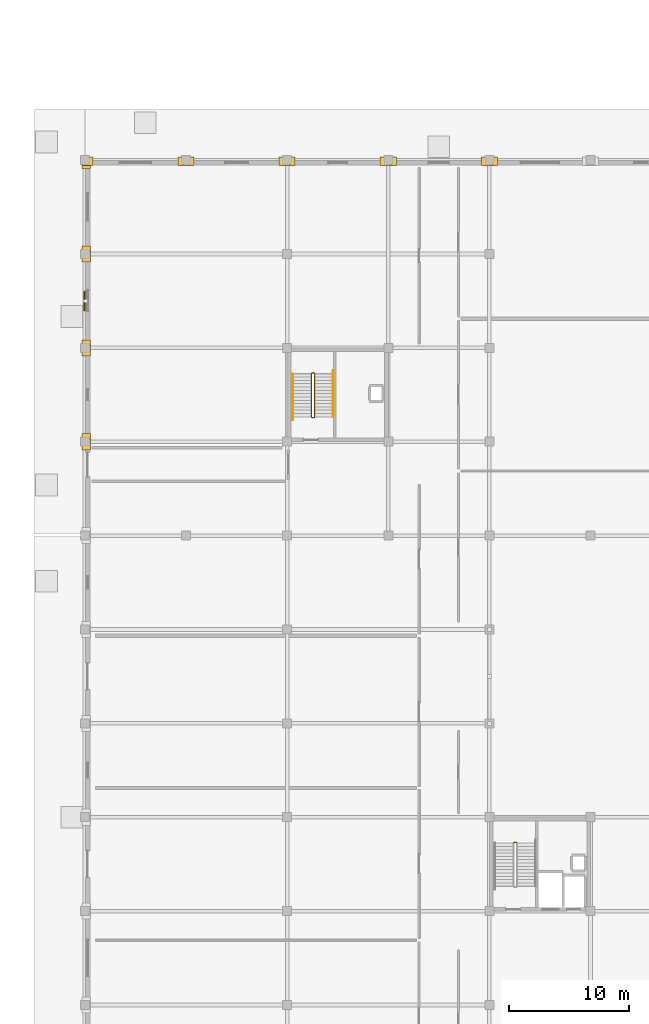
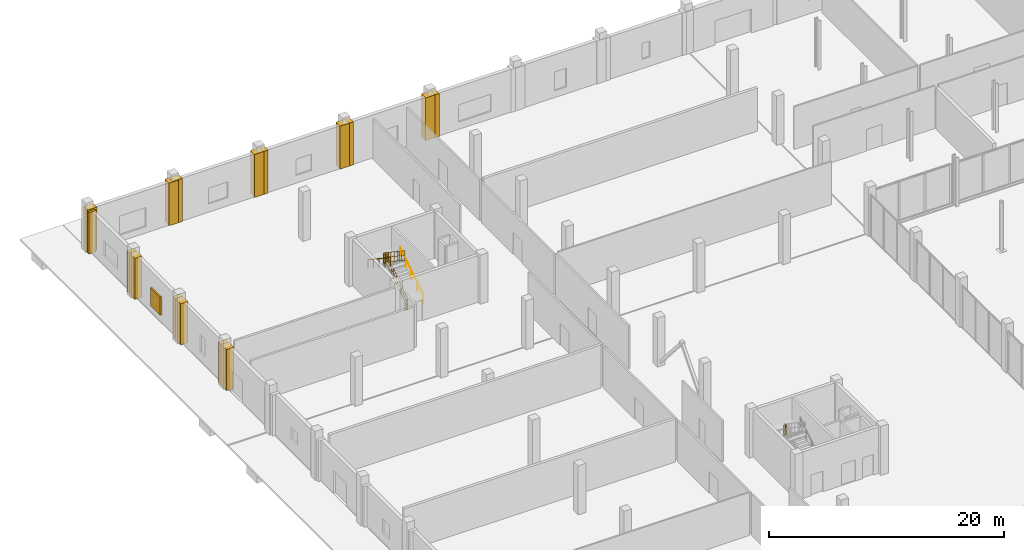
# One storey, part 72 of 80: 16 coverings, 7 railings, 1 shading device.
"""IFC4 building model written with IfcOpenShell, lengths in metres."""

from ifc_helpers import new_model, si_unit, direction, frame, origin, origin_2d, place, context, subcontext, project, spatial, polyline, rectangle, circle, outline, extrude, material, layer, layer_set, type_object, element, save


model = new_model("IFC4")

# Units and contexts
model_context = context("Model", 3, precision=1e-05, world=origin(), true_north=direction((0.0, 1.0)))
body_context = subcontext(model_context, "Body", "Model", "MODEL_VIEW")
ifc_project = project(units=[si_unit("LENGTHUNIT", "METRE"), si_unit("AREAUNIT", "SQUARE_METRE"), si_unit("VOLUMEUNIT", "CUBIC_METRE"), si_unit("PLANEANGLEUNIT", "RADIAN"), si_unit("MASSUNIT", "GRAM", prefix="KILO")], contexts=[model_context])

# Site, building, storey
site_placement = place(None, origin())
site = spatial("IfcSite", under=ifc_project, at=site_placement, CompositionType="ELEMENT")
building_placement = place(site_placement, origin())
building = spatial("IfcBuilding", under=site, at=building_placement, Name="Nabrawat Pavilion Hospital", CompositionType="ELEMENT")
storey_placement = place(building_placement, origin())
storey = spatial("IfcBuildingStorey", under=building, at=storey_placement, Name="L00", CompositionType="ELEMENT", Elevation=0.0)

# Coverings
ifc_material_1 = material(Name="Precast concrete C40/50", Category="concrete")
ifc_layer_1 = layer(ifc_material_1, 0.360107421875, Name="Precast concrete C40/50")
ifc_layer_set_1 = layer_set([ifc_layer_1], Name="Precast concrete C40/50")
covering_type = type_object("IfcCoveringType", Name="Architectural Precast Column-Jamb Closure Reveal", PredefinedType="CLADDING", material=ifc_layer_set_1)
covering_1_placement = place(storey_placement, origin())
element("IfcCovering", 1, at=covering_1_placement, inside=storey, type_object=covering_type, Name="L00 Precast Facade Column-Jamb Weatherseal Closure 0038", PredefinedType="CLADDING", context=body_context, shape_type="SweptSolid", body=[
    extrude(outline(polyline([(0.463623046875, 92.93115234375), (0.463623046875, 93.84375), (-0.243896484375, 93.84375), (-0.243896484375, 92.93115234375), (0.463623046875, 92.93115234375)])), origin(), (0.0, 0.0, 1.0), 4.260009765625),
])
covering_2_placement = place(storey_placement, origin())
element("IfcCovering", 2, at=covering_2_placement, inside=storey, type_object=covering_type, Name="L00 Precast Facade Column-Jamb Weatherseal Closure 0039", PredefinedType="CLADDING", context=body_context, shape_type="SweptSolid", body=[
    extrude(outline(polyline([(0.463623046875, 93.356201171875), (0.463623046875, 94.268798828125), (-0.243896484375, 94.268798828125), (-0.243896484375, 93.356201171875), (0.463623046875, 93.356201171875)])), origin(), (0.0, 0.0, 1.0), 4.260009765625),
])
covering_3_placement = place(storey_placement, origin())
element("IfcCovering", 3, at=covering_3_placement, inside=storey, type_object=covering_type, Name="L00 Precast Facade Column-Jamb Weatherseal Closure 0040", PredefinedType="CLADDING", context=body_context, shape_type="SweptSolid", body=[
    extrude(outline(polyline([(0.463623046875, 100.731201171875), (0.463623046875, 101.643798828125), (-0.243896484375, 101.643798828125), (-0.243896484375, 100.731201171875), (0.463623046875, 100.731201171875)])), origin(), (0.0, 0.0, 1.0), 4.260009765625),
])
covering_4_placement = place(storey_placement, origin())
element("IfcCovering", 4, at=covering_4_placement, inside=storey, type_object=covering_type, Name="L00 Precast Facade Column-Jamb Weatherseal Closure 0041", PredefinedType="CLADDING", context=body_context, shape_type="SweptSolid", body=[
    extrude(outline(polyline([(0.463623046875, 101.15625), (0.463623046875, 102.06884765625), (-0.243896484375, 102.06884765625), (-0.243896484375, 101.15625), (0.463623046875, 101.15625)])), origin(), (0.0, 0.0, 1.0), 4.260009765625),
])
covering_5_placement = place(storey_placement, origin())
element("IfcCovering", 5, at=covering_5_placement, inside=storey, type_object=covering_type, Name="L00 Precast Facade Column-Jamb Weatherseal Closure 0042", PredefinedType="CLADDING", context=body_context, shape_type="SweptSolid", body=[
    extrude(outline(polyline([(0.463623046875, 108.53125), (0.463623046875, 109.44384765625), (-0.243896484375, 109.44384765625), (-0.243896484375, 108.53125), (0.463623046875, 108.53125)])), origin(), (0.0, 0.0, 1.0), 4.260009765625),
])
covering_6_placement = place(storey_placement, origin())
element("IfcCovering", 6, at=covering_6_placement, inside=storey, type_object=covering_type, Name="L00 Precast Facade Column-Jamb Weatherseal Closure 0043", PredefinedType="CLADDING", context=body_context, shape_type="SweptSolid", body=[
    extrude(outline(polyline([(0.463623046875, 108.956298828125), (0.463623046875, 109.868896484375), (-0.243896484375, 109.868896484375), (-0.243896484375, 108.956298828125), (0.463623046875, 108.956298828125)])), origin(), (0.0, 0.0, 1.0), 4.260009765625),
])
covering_7_placement = place(storey_placement, origin())
element("IfcCovering", 7, at=covering_7_placement, inside=storey, type_object=covering_type, Name="L00 Precast Facade Column-Jamb Weatherseal Closure 0044", PredefinedType="CLADDING", context=body_context, shape_type="SweptSolid", body=[
    extrude(outline(polyline([(0.463623046875, 116.316162109375), (0.463623046875, 117.243896484375), (-0.243896484375, 117.243896484375), (-0.243896484375, 116.316162109375), (0.463623046875, 116.316162109375)])), origin(), (0.0, 0.0, 1.0), 4.260009765625),
])
covering_8_placement = place(storey_placement, origin())
element("IfcCovering", 8, at=covering_8_placement, inside=storey, type_object=covering_type, Name="L00 Precast Facade Column-Jamb Weatherseal Closure 0045", PredefinedType="CLADDING", context=body_context, shape_type="SweptSolid", body=[
    extrude(outline(polyline([(0.668701171875, 116.5361328125), (0.668701171875, 117.243896484375), (-0.243896484375, 117.243896484375), (-0.243896484375, 116.5361328125), (0.668701171875, 116.5361328125)])), origin(), (0.0, 0.0, 1.0), 4.419921875),
])
covering_9_placement = place(storey_placement, origin())
element("IfcCovering", 9, at=covering_9_placement, inside=storey, type_object=covering_type, Name="L00 Precast Facade Column-Jamb Weatherseal Closure 0046", PredefinedType="CLADDING", context=body_context, shape_type="SweptSolid", body=[
    extrude(outline(polyline([(8.643798828125, 116.5361328125), (8.643798828125, 117.243896484375), (7.731201171875, 117.243896484375), (7.731201171875, 116.5361328125), (8.643798828125, 116.5361328125)])), origin(), (0.0, 0.0, 1.0), 4.419921875),
])
covering_10_placement = place(storey_placement, origin())
element("IfcCovering", 10, at=covering_10_placement, inside=storey, type_object=covering_type, Name="L00 Precast Facade Column-Jamb Weatherseal Closure 0047", PredefinedType="CLADDING", context=body_context, shape_type="SweptSolid", body=[
    extrude(outline(polyline([(9.068603515625, 116.5361328125), (9.068603515625, 117.243896484375), (8.15625, 117.243896484375), (8.15625, 116.5361328125), (9.068603515625, 116.5361328125)])), origin(), (0.0, 0.0, 1.0), 4.449951171875),
])
covering_11_placement = place(storey_placement, origin())
element("IfcCovering", 11, at=covering_11_placement, inside=storey, type_object=covering_type, Name="L00 Precast Facade Column-Jamb Weatherseal Closure 0048", PredefinedType="CLADDING", context=body_context, shape_type="SweptSolid", body=[
    extrude(outline(polyline([(17.043701171875, 116.5361328125), (17.043701171875, 117.243896484375), (16.13134765625, 117.243896484375), (16.13134765625, 116.5361328125), (17.043701171875, 116.5361328125)])), origin(), (0.0, 0.0, 1.0), 4.449951171875),
])
covering_12_placement = place(storey_placement, origin())
element("IfcCovering", 12, at=covering_12_placement, inside=storey, type_object=covering_type, Name="L00 Precast Facade Column-Jamb Weatherseal Closure 0049", PredefinedType="CLADDING", context=body_context, shape_type="SweptSolid", body=[
    extrude(outline(polyline([(17.46875, 116.5361328125), (17.46875, 117.243896484375), (16.556396484375, 117.243896484375), (16.556396484375, 116.5361328125), (17.46875, 116.5361328125)])), origin(), (0.0, 0.0, 1.0), 4.449951171875),
])
covering_13_placement = place(storey_placement, origin())
element("IfcCovering", 13, at=covering_13_placement, inside=storey, type_object=covering_type, Name="L00 Precast Facade Column-Jamb Weatherseal Closure 0050", PredefinedType="CLADDING", context=body_context, shape_type="SweptSolid", body=[
    extrude(outline(polyline([(25.443603515625, 116.5361328125), (25.443603515625, 117.243896484375), (24.53125, 117.243896484375), (24.53125, 116.5361328125), (25.443603515625, 116.5361328125)])), origin(), (0.0, 0.0, 1.0), 4.449951171875),
])
covering_14_placement = place(storey_placement, origin())
element("IfcCovering", 14, at=covering_14_placement, inside=storey, type_object=covering_type, Name="L00 Precast Facade Column-Jamb Weatherseal Closure 0051", PredefinedType="CLADDING", context=body_context, shape_type="SweptSolid", body=[
    extrude(outline(polyline([(25.86865234375, 116.5361328125), (25.86865234375, 117.243896484375), (24.956298828125, 117.243896484375), (24.956298828125, 116.5361328125), (25.86865234375, 116.5361328125)])), origin(), (0.0, 0.0, 1.0), 4.449951171875),
])
covering_15_placement = place(storey_placement, origin())
element("IfcCovering", 15, at=covering_15_placement, inside=storey, type_object=covering_type, Name="L00 Precast Facade Column-Jamb Weatherseal Closure 0052", PredefinedType="CLADDING", context=body_context, shape_type="SweptSolid", body=[
    extrude(outline(polyline([(33.84375, 116.5361328125), (33.84375, 117.243896484375), (32.93115234375, 117.243896484375), (32.93115234375, 116.5361328125), (33.84375, 116.5361328125)])), origin(), (0.0, 0.0, 1.0), 4.449951171875),
])
covering_16_placement = place(storey_placement, origin())
element("IfcCovering", 16, at=covering_16_placement, inside=storey, type_object=covering_type, Name="L00 Precast Facade Column-Jamb Weatherseal Closure 0053", PredefinedType="CLADDING", context=body_context, shape_type="SweptSolid", body=[
    extrude(outline(polyline([(34.268798828125, 116.5361328125), (34.268798828125, 117.243896484375), (33.356201171875, 117.243896484375), (33.356201171875, 116.5361328125), (34.268798828125, 116.5361328125)])), origin(), (0.0, 0.0, 1.0), 4.449951171875),
])

# Shading device
ifc_layer_2 = layer(ifc_material_1, 2.39990234375, Name="Precast concrete C40/50")
ifc_layer_set_2 = layer_set([ifc_layer_2], Name="Precast concrete C40/50")
shading_device_type = type_object("IfcShadingDeviceType", Name="Perforated GFRC Mashrabiya Solar Fin", PredefinedType="JALOUSIE", material=ifc_layer_set_2)
shading_device_placement = place(storey_placement, frame((-0.030029296875, 105.300048828125, 0.75), z_axis=(0.0, 0.0, 1.0), x_axis=(0.0, 1.0, 0.0)))
element("IfcShadingDevice", 17, at=shading_device_placement, inside=storey, type_object=shading_device_type, Name="L00 Perforated GFRC Mashrabiya Screen 003", PredefinedType="JALOUSIE", context=body_context, shape_type="SweptSolid", body=[
    extrude(rectangle(XDim=1.60009765625, YDim=0.139892578125, at=origin_2d()), origin(), (0.0, 0.0, 1.0), 1.89990234375),
])

# Railings
ifc_material_2 = material(Name="Stainless Steel 316", Category="steel")
ifc_layer_3 = layer(ifc_material_2, 0.050048828125, Name="Stainless Steel 316")
ifc_layer_set_3 = layer_set([ifc_layer_3], Name="Stainless Steel 316")
railing_type_1 = type_object("IfcRailingType", Name="Stair Open-Well Safety Guardrail 1100", PredefinedType="GUARDRAIL", material=ifc_layer_set_3)
railing_1_placement = place(storey_placement, frame((35.85009765625, 60.294921875, 2.550048828125)))
element("IfcRailing", 18, at=railing_1_placement, inside=storey, type_object=railing_type_1, Name="L00 ST-02 stair guard 2", PredefinedType="GUARDRAIL", context=body_context, shape_type="SweptSolid", body=[
    extrude(circle(Radius=0.02392578125, at=origin_2d()), frame((0.0, 0.0, 1.076171875), z_axis=(-1.0, 0.0, 0.0), x_axis=(0.0, -1.0, 0.0)), (0.0, 0.0, 1.0), 0.2001953125),
    extrude(circle(Radius=0.02392578125, at=origin_2d()), frame((0.0, 0.0, 0.10009765625), z_axis=(-1.0, 0.0, 0.0), x_axis=(0.0, -1.0, 0.0)), (0.0, 0.0, 1.0), 0.2001953125),
    extrude(circle(Radius=0.02392578125, at=origin_2d()), frame((0.0, 0.0, 0.60498046875), z_axis=(-1.0, 0.0, 0.0), x_axis=(0.0, -1.0, 0.0)), (0.0, 0.0, 1.0), 0.2001953125),
    extrude(circle(Radius=0.008056640625, at=origin_2d()), frame((-0.10009765625, 0.0, 0.10009765625)), (0.0, 0.0, 1.0), 0.951904296875),
    extrude(circle(Radius=0.02099609375, at=origin_2d()), origin(), (0.0, 0.0, 1.0), 1.052001953125),
    extrude(circle(Radius=0.02099609375, at=origin_2d()), frame((-0.2001953125, 0.0, 0.0)), (0.0, 0.0, 1.0), 1.052001953125),
])
railing_2_placement = place(storey_placement, frame((19.074951171875, 95.669921875, 0.18212890625)))
element("IfcRailing", 19, at=railing_2_placement, inside=storey, type_object=railing_type_1, Name="L00 ST-07 stair guard 1", PredefinedType="GUARDRAIL", context=body_context, shape_type="SweptSolid", body=[
    extrude(circle(Radius=0.02392578125, at=origin_2d()), frame((0.0, 0.0, 1.076171875), z_axis=(0.0, 0.833719449677, 0.5521882643), x_axis=(-1.0, 0.0, 0.0)), (0.0, 0.0, 1.0), 4.288330078125),
    extrude(circle(Radius=0.02392578125, at=origin_2d()), frame((0.0, 0.0, 0.10009765625), z_axis=(0.0, 0.833719449677, 0.5521882643), x_axis=(-1.0, 0.0, 0.0)), (0.0, 0.0, 1.0), 4.288330078125),
    extrude(circle(Radius=0.02392578125, at=origin_2d()), frame((0.0, 0.0, 0.60498046875), z_axis=(0.0, 0.833719449677, 0.5521882643), x_axis=(-1.0, 0.0, 0.0)), (0.0, 0.0, 1.0), 4.288330078125),
    extrude(circle(Radius=0.008056640625, at=origin_2d()), frame((0.0, 0.19873046875, 0.2314453125)), (0.0, 0.0, 1.0), 0.951904296875),
    extrude(circle(Radius=0.008056640625, at=origin_2d()), frame((0.0, 0.397216796875, 0.363037109375)), (0.0, 0.0, 1.0), 0.951904296875),
    extrude(circle(Radius=0.008056640625, at=origin_2d()), frame((0.0, 0.595947265625, 0.49462890625)), (0.0, 0.0, 1.0), 0.951904296875),
    extrude(circle(Radius=0.008056640625, at=origin_2d()), frame((0.0, 0.79443359375, 0.626220703125)), (0.0, 0.0, 1.0), 0.951904296875),
    extrude(circle(Radius=0.008056640625, at=origin_2d()), frame((0.0, 0.9931640625, 0.7578125)), (0.0, 0.0, 1.0), 0.951904296875),
    extrude(circle(Radius=0.008056640625, at=origin_2d()), frame((0.0, 1.191650390625, 0.889404296875)), (0.0, 0.0, 1.0), 0.951904296875),
    extrude(circle(Radius=0.008056640625, at=origin_2d()), frame((0.0, 1.390380859375, 1.020751953125)), (0.0, 0.0, 1.0), 0.951904296875),
    extrude(circle(Radius=0.008056640625, at=origin_2d()), frame((0.0, 1.5888671875, 1.15234375)), (0.0, 0.0, 1.0), 0.951904296875),
    extrude(circle(Radius=0.008056640625, at=origin_2d()), frame((0.0, 1.986328125, 1.41552734375)), (0.0, 0.0, 1.0), 0.951904296875),
    extrude(circle(Radius=0.008056640625, at=origin_2d()), frame((0.0, 2.184814453125, 1.547119140625)), (0.0, 0.0, 1.0), 0.951904296875),
    extrude(circle(Radius=0.008056640625, at=origin_2d()), frame((0.0, 2.383544921875, 1.6787109375)), (0.0, 0.0, 1.0), 0.951904296875),
    extrude(circle(Radius=0.008056640625, at=origin_2d()), frame((0.0, 2.58203125, 1.81005859375)), (0.0, 0.0, 1.0), 0.951904296875),
    extrude(circle(Radius=0.008056640625, at=origin_2d()), frame((0.0, 2.78076171875, 1.941650390625)), (0.0, 0.0, 1.0), 0.951904296875),
    extrude(circle(Radius=0.008056640625, at=origin_2d()), frame((0.0, 2.979248046875, 2.0732421875)), (0.0, 0.0, 1.0), 0.951904296875),
    extrude(circle(Radius=0.008056640625, at=origin_2d()), frame((0.0, 3.177978515625, 2.204833984375)), (0.0, 0.0, 1.0), 0.951904296875),
    extrude(circle(Radius=0.008056640625, at=origin_2d()), frame((0.0, 3.37646484375, 2.33642578125)), (0.0, 0.0, 1.0), 0.951904296875),
    extrude(circle(Radius=0.02099609375, at=origin_2d()), origin(), (0.0, 0.0, 1.0), 1.052001953125),
    extrude(circle(Radius=0.02099609375, at=origin_2d()), frame((0.0, 0.893798828125, 0.592041015625)), (0.0, 0.0, 1.0), 1.052001953125),
    extrude(circle(Radius=0.02099609375, at=origin_2d()), frame((0.0, 1.78759765625, 1.18408203125)), (0.0, 0.0, 1.0), 1.052001953125),
    extrude(circle(Radius=0.02099609375, at=origin_2d()), frame((0.0, 2.681396484375, 1.77587890625)), (0.0, 0.0, 1.0), 1.052001953125),
    extrude(circle(Radius=0.02099609375, at=origin_2d()), frame((0.0, 3.5751953125, 2.367919921875)), (0.0, 0.0, 1.0), 1.052001953125),
])
railing_3_placement = place(storey_placement, frame((19.050048828125, 99.294921875, 2.550048828125)))
element("IfcRailing", 20, at=railing_3_placement, inside=storey, type_object=railing_type_1, Name="L00 ST-07 stair guard 2", PredefinedType="GUARDRAIL", context=body_context, shape_type="SweptSolid", body=[
    extrude(circle(Radius=0.02392578125, at=origin_2d()), frame((0.0, 0.0, 1.076171875), z_axis=(-1.0, 0.0, 0.0), x_axis=(0.0, -1.0, 0.0)), (0.0, 0.0, 1.0), 0.199951171875),
    extrude(circle(Radius=0.02392578125, at=origin_2d()), frame((0.0, 0.0, 0.10009765625), z_axis=(-1.0, 0.0, 0.0), x_axis=(0.0, -1.0, 0.0)), (0.0, 0.0, 1.0), 0.199951171875),
    extrude(circle(Radius=0.02392578125, at=origin_2d()), frame((0.0, 0.0, 0.60498046875), z_axis=(-1.0, 0.0, 0.0), x_axis=(0.0, -1.0, 0.0)), (0.0, 0.0, 1.0), 0.199951171875),
    extrude(circle(Radius=0.008056640625, at=origin_2d()), frame((-0.10009765625, 0.0, 0.10009765625)), (0.0, 0.0, 1.0), 0.951904296875),
    extrude(circle(Radius=0.02099609375, at=origin_2d()), origin(), (0.0, 0.0, 1.0), 1.052001953125),
    extrude(circle(Radius=0.02099609375, at=origin_2d()), frame((-0.199951171875, 0.0, 0.0)), (0.0, 0.0, 1.0), 1.052001953125),
])
railing_4_placement = place(storey_placement, frame((18.824951171875, 99.2451171875, 2.732177734375)))
element("IfcRailing", 21, at=railing_4_placement, inside=storey, type_object=railing_type_1, Name="L00 ST-07 stair guard 3", PredefinedType="GUARDRAIL", context=body_context, shape_type="SweptSolid", body=[
    extrude(circle(Radius=0.02392578125, at=origin_2d()), frame((0.0, 0.0, 1.076171875), z_axis=(0.0, -0.833719449677, 0.5521882643), x_axis=(1.0, 0.0, 0.0)), (0.0, 0.0, 1.0), 4.288330078125),
    extrude(circle(Radius=0.02392578125, at=origin_2d()), frame((0.0, 0.0, 0.10009765625), z_axis=(0.0, -0.833719449677, 0.5521882643), x_axis=(1.0, 0.0, 0.0)), (0.0, 0.0, 1.0), 4.288330078125),
    extrude(circle(Radius=0.02392578125, at=origin_2d()), frame((0.0, 0.0, 0.60498046875), z_axis=(0.0, -0.833719449677, 0.5521882643), x_axis=(1.0, 0.0, 0.0)), (0.0, 0.0, 1.0), 4.288330078125),
    extrude(circle(Radius=0.008056640625, at=origin_2d()), frame((0.0, -0.19873046875, 0.2314453125)), (0.0, 0.0, 1.0), 0.951904296875),
    extrude(circle(Radius=0.008056640625, at=origin_2d()), frame((0.0, -0.397216796875, 0.363037109375)), (0.0, 0.0, 1.0), 0.951904296875),
    extrude(circle(Radius=0.008056640625, at=origin_2d()), frame((0.0, -0.595947265625, 0.49462890625)), (0.0, 0.0, 1.0), 0.951904296875),
    extrude(circle(Radius=0.008056640625, at=origin_2d()), frame((0.0, -0.79443359375, 0.626220703125)), (0.0, 0.0, 1.0), 0.951904296875),
    extrude(circle(Radius=0.008056640625, at=origin_2d()), frame((0.0, -0.9931640625, 0.7578125)), (0.0, 0.0, 1.0), 0.951904296875),
    extrude(circle(Radius=0.008056640625, at=origin_2d()), frame((0.0, -1.191650390625, 0.889404296875)), (0.0, 0.0, 1.0), 0.951904296875),
    extrude(circle(Radius=0.008056640625, at=origin_2d()), frame((0.0, -1.390380859375, 1.020751953125)), (0.0, 0.0, 1.0), 0.951904296875),
    extrude(circle(Radius=0.008056640625, at=origin_2d()), frame((0.0, -1.5888671875, 1.15234375)), (0.0, 0.0, 1.0), 0.951904296875),
    extrude(circle(Radius=0.008056640625, at=origin_2d()), frame((0.0, -1.986328125, 1.41552734375)), (0.0, 0.0, 1.0), 0.951904296875),
    extrude(circle(Radius=0.008056640625, at=origin_2d()), frame((0.0, -2.184814453125, 1.547119140625)), (0.0, 0.0, 1.0), 0.951904296875),
    extrude(circle(Radius=0.008056640625, at=origin_2d()), frame((0.0, -2.383544921875, 1.6787109375)), (0.0, 0.0, 1.0), 0.951904296875),
    extrude(circle(Radius=0.008056640625, at=origin_2d()), frame((0.0, -2.58203125, 1.81005859375)), (0.0, 0.0, 1.0), 0.951904296875),
    extrude(circle(Radius=0.008056640625, at=origin_2d()), frame((0.0, -2.78076171875, 1.941650390625)), (0.0, 0.0, 1.0), 0.951904296875),
    extrude(circle(Radius=0.008056640625, at=origin_2d()), frame((0.0, -2.979248046875, 2.0732421875)), (0.0, 0.0, 1.0), 0.951904296875),
    extrude(circle(Radius=0.008056640625, at=origin_2d()), frame((0.0, -3.177978515625, 2.204833984375)), (0.0, 0.0, 1.0), 0.951904296875),
    extrude(circle(Radius=0.008056640625, at=origin_2d()), frame((0.0, -3.37646484375, 2.33642578125)), (0.0, 0.0, 1.0), 0.951904296875),
    extrude(circle(Radius=0.02099609375, at=origin_2d()), origin(), (0.0, 0.0, 1.0), 1.052001953125),
    extrude(circle(Radius=0.02099609375, at=origin_2d()), frame((0.0, -0.893798828125, 0.592041015625)), (0.0, 0.0, 1.0), 1.052001953125),
    extrude(circle(Radius=0.02099609375, at=origin_2d()), frame((0.0, -1.78759765625, 1.18408203125)), (0.0, 0.0, 1.0), 1.052001953125),
    extrude(circle(Radius=0.02099609375, at=origin_2d()), frame((0.0, -2.681396484375, 1.77587890625)), (0.0, 0.0, 1.0), 1.052001953125),
    extrude(circle(Radius=0.02099609375, at=origin_2d()), frame((0.0, -3.5751953125, 2.367919921875)), (0.0, 0.0, 1.0), 1.052001953125),
])
railing_5_placement = place(storey_placement, frame((19.050048828125, 95.6201171875, 0.0)))
element("IfcRailing", 22, at=railing_5_placement, inside=storey, type_object=railing_type_1, Name="L00 ST-07 stair guard 4", PredefinedType="GUARDRAIL", context=body_context, shape_type="SweptSolid", body=[
    extrude(circle(Radius=0.02392578125, at=origin_2d()), frame((0.0, 0.0, 1.076171875), z_axis=(-1.0, 0.0, 0.0), x_axis=(0.0, -1.0, 0.0)), (0.0, 0.0, 1.0), 0.199951171875),
    extrude(circle(Radius=0.02392578125, at=origin_2d()), frame((0.0, 0.0, 0.10009765625), z_axis=(-1.0, 0.0, 0.0), x_axis=(0.0, -1.0, 0.0)), (0.0, 0.0, 1.0), 0.199951171875),
    extrude(circle(Radius=0.02392578125, at=origin_2d()), frame((0.0, 0.0, 0.60498046875), z_axis=(-1.0, 0.0, 0.0), x_axis=(0.0, -1.0, 0.0)), (0.0, 0.0, 1.0), 0.199951171875),
    extrude(circle(Radius=0.008056640625, at=origin_2d()), frame((-0.10009765625, 0.0, 0.10009765625)), (0.0, 0.0, 1.0), 0.951904296875),
    extrude(circle(Radius=0.02099609375, at=origin_2d()), origin(), (0.0, 0.0, 1.0), 1.052001953125),
    extrude(circle(Radius=0.02099609375, at=origin_2d()), frame((-0.199951171875, 0.0, 0.0)), (0.0, 0.0, 1.0), 1.052001953125),
])
ifc_layer_4 = layer(ifc_material_2, 0.044921875, Name="Stainless Steel 316")
ifc_layer_set_4 = layer_set([ifc_layer_4], Name="Stainless Steel 316")
railing_type_2 = type_object("IfcRailingType", Name="Stair Pitch Continuous Handrail 920", PredefinedType="HANDRAIL", material=ifc_layer_set_4)
railing_6_placement = place(storey_placement, frame((20.625, 95.669921875, 0.18603515625)))
element("IfcRailing", 23, at=railing_6_placement, inside=storey, type_object=railing_type_2, Name="L00 ST-07 stair handrail 1", PredefinedType="HANDRAIL", context=body_context, shape_type="SweptSolid", body=[
    extrude(circle(Radius=0.02392578125, at=origin_2d()), frame((0.0, 0.0, 0.89599609375), z_axis=(0.0, 0.833713881912, 0.552196670677), x_axis=(-1.0, 0.0, 0.0)), (0.0, 0.0, 1.0), 4.617919921875),
    extrude(circle(Radius=0.02099609375, at=origin_2d()), origin(), (0.0, 0.0, 1.0), 0.871826171875),
    extrude(circle(Radius=0.02099609375, at=origin_2d()), frame((0.0, 0.96240234375, 0.637451171875)), (0.0, 0.0, 1.0), 0.871826171875),
    extrude(circle(Radius=0.02099609375, at=origin_2d()), frame((0.0, 1.925048828125, 1.27490234375)), (0.0, 0.0, 1.0), 0.871826171875),
    extrude(circle(Radius=0.02099609375, at=origin_2d()), frame((0.0, 2.8876953125, 1.91259765625)), (0.0, 0.0, 1.0), 0.871826171875),
    extrude(circle(Radius=0.02099609375, at=origin_2d()), frame((0.0, 3.85009765625, 2.550048828125)), (0.0, 0.0, 1.0), 0.871826171875),
])
railing_7_placement = place(storey_placement, frame((17.27490234375, 99.2451171875, 2.736083984375)))
element("IfcRailing", 24, at=railing_7_placement, inside=storey, type_object=railing_type_2, Name="L00 ST-07 stair handrail 2", PredefinedType="HANDRAIL", context=body_context, shape_type="SweptSolid", body=[
    extrude(circle(Radius=0.02392578125, at=origin_2d()), frame((0.0, 0.0, 0.89599609375), z_axis=(0.0, -0.833713881912, 0.552196670677), x_axis=(1.0, 0.0, 0.0)), (0.0, 0.0, 1.0), 4.617919921875),
    extrude(circle(Radius=0.02099609375, at=origin_2d()), origin(), (0.0, 0.0, 1.0), 0.871826171875),
    extrude(circle(Radius=0.02099609375, at=origin_2d()), frame((0.0, -0.96240234375, 0.637451171875)), (0.0, 0.0, 1.0), 0.871826171875),
    extrude(circle(Radius=0.02099609375, at=origin_2d()), frame((0.0, -1.925048828125, 1.27490234375)), (0.0, 0.0, 1.0), 0.871826171875),
    extrude(circle(Radius=0.02099609375, at=origin_2d()), frame((0.0, -2.8876953125, 1.91259765625)), (0.0, 0.0, 1.0), 0.871826171875),
    extrude(circle(Radius=0.02099609375, at=origin_2d()), frame((0.0, -3.85009765625, 2.550048828125)), (0.0, 0.0, 1.0), 0.871826171875),
])

save(model, "model.ifc")
